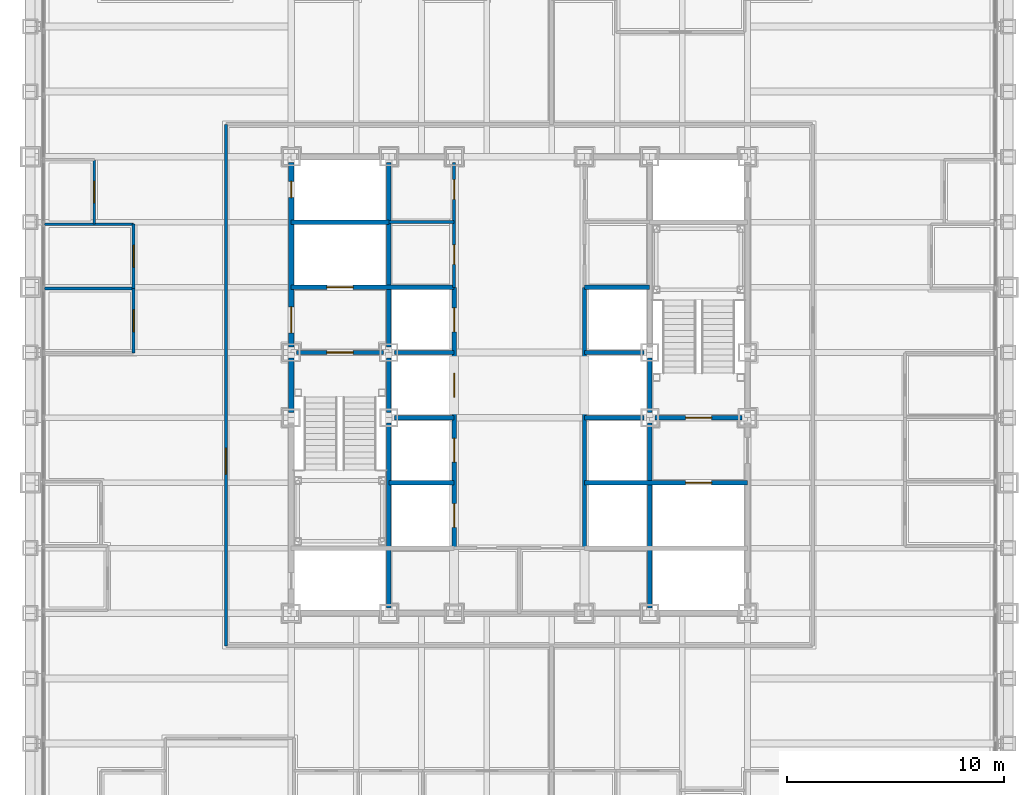
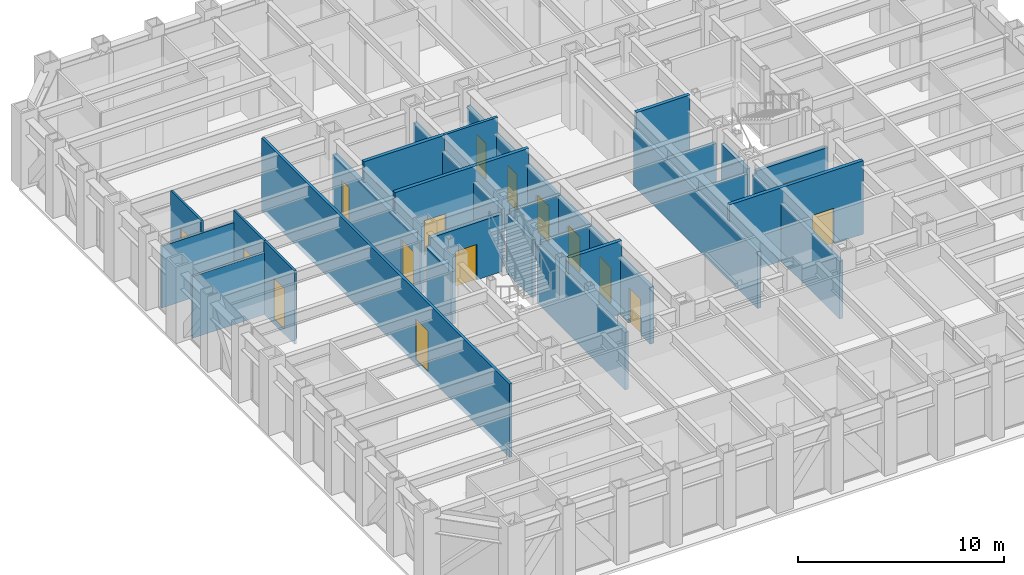
# One storey, part 9 of 16: 28 walls, 16 doors, 16 openings.
"""IFC4 building model written with IfcOpenShell, lengths in metres."""

from ifc_helpers import new_model, si_unit, direction, frame, frame_2d, origin, place, context, subcontext, project, spatial, rectangle, extrude, material, layer, layer_set, type_object, element, fill, save


model = new_model("IFC4")

# Units and contexts
model_context = context("Model", 3, precision=1e-05, world=origin(), true_north=direction((0.0, 1.0)))
body_context = subcontext(model_context, "Body", "Model", "MODEL_VIEW")
ifc_project = project(units=[si_unit("LENGTHUNIT", "METRE"), si_unit("AREAUNIT", "SQUARE_METRE"), si_unit("VOLUMEUNIT", "CUBIC_METRE"), si_unit("PLANEANGLEUNIT", "RADIAN"), si_unit("MASSUNIT", "GRAM", prefix="KILO")], contexts=[model_context])

# Site, building, storey
site_placement = place(None, origin())
site = spatial("IfcSite", under=ifc_project, at=site_placement, CompositionType="ELEMENT")
building_placement = place(site_placement, origin())
building = spatial("IfcBuilding", under=site, at=building_placement, Name="Chuquiago Exchange Tower", CompositionType="ELEMENT")
storey_placement = place(building_placement, frame((0.0, 0.0, 60.300048828125)))
storey = spatial("IfcBuildingStorey", under=building, at=storey_placement, Name="L12", CompositionType="ELEMENT", Elevation=60.300048828125)

# Wall
ifc_material_1 = material(Name="Concrete masonry, fully grouted", Category="masonry")
ifc_layer_1 = layer(ifc_material_1, 0.25)
ifc_layer_set_1 = layer_set([ifc_layer_1], Name="W1 core wall 250")
wall_type_1 = type_object("IfcWallType", Name="W1 core wall 250", PredefinedType="SOLIDWALL", material=ifc_layer_set_1)
wall_1_placement = place(storey_placement, frame((12.0, 21.25, 0.0), z_axis=(0.0, 0.0, 1.0), x_axis=(0.0, 1.0, 0.0)))
element("IfcWall", 1, at=wall_1_placement, inside=storey, type_object=wall_type_1, Name="CW-L12-00-1", PredefinedType="SOLIDWALL", context=body_context, shape_type="SweptSolid", body=[
    extrude(rectangle(XDim=2.5, YDim=0.25, at=frame_2d((1.25, 0.0))), origin(), (0.0, 0.0, 1.0), 3.11279296875),
])

# Wall, openings, doors
wall_2_placement = place(storey_placement, frame((12.0, 24.25, 0.0), z_axis=(0.0, 0.0, 1.0), x_axis=(0.0, 1.0, 0.0)))
wall_2 = element("IfcWall", 2, at=wall_2_placement, inside=storey, type_object=wall_type_1, Name="CW-L12-00-2", PredefinedType="SOLIDWALL", context=body_context, shape_type="SweptSolid", body=[
    extrude(rectangle(XDim=8.5, YDim=0.25, at=frame_2d((4.25, 0.0))), origin(), (0.0, 0.0, 1.0), 3.11279296875),
])
opening_1_placement = place(wall_2_placement, frame((0.64990234375, 0.0, 0.0)))
opening_1 = element("IfcOpeningElement", 3, at=opening_1_placement, cuts=wall_2, Name="Opening L12-002", PredefinedType="OPENING", context=body_context, shape_type="SweptSolid", body=[
    extrude(rectangle(XDim=1.199951171875, YDim=2.10009765625, at=frame_2d((0.60009765625, 1.050048828125))), frame((0.0, 0.135009765625, 0.0), z_axis=(0.0, -1.0, 0.0), x_axis=(1.0, 0.0, 0.0)), (0.0, 0.0, 1.0), 0.27001953125),
])
opening_2_placement = place(wall_2_placement, frame((6.875, 0.0, 0.0)))
opening_2 = element("IfcOpeningElement", 4, at=opening_2_placement, cuts=wall_2, Name="Opening L12-008", PredefinedType="OPENING", context=body_context, shape_type="SweptSolid", body=[
    extrude(rectangle(XDim=0.75, YDim=2.10009765625, at=frame_2d((0.375, 1.050048828125))), frame((0.0, 0.135009765625, 0.0), z_axis=(0.0, -1.0, 0.0), x_axis=(1.0, 0.0, 0.0)), (0.0, 0.0, 1.0), 0.27001953125),
])
ifc_material_2 = material(Name="Steel door, painted", Category="steel")
door_type_1 = type_object("IfcDoorType", Name="D5 firefighting lobby door 1200x2100", OperationType="SINGLE_SWING_LEFT", PredefinedType="DOOR", material=ifc_material_2)
door_1_placement = place(opening_1_placement, frame((1.199951171875, 0.0, 0.0), z_axis=(0.0, 0.0, 1.0), x_axis=(-1.0, 0.0, 0.0)))
door_1 = element("IfcDoor", 5, at=door_1_placement, inside=storey, type_object=door_type_1, Name="Firefighting lobby 1 door", OperationType="SINGLE_SWING_RIGHT", OverallHeight=2.10009765625, OverallWidth=1.199951171875, PredefinedType="DOOR", context=body_context, shape_type="SweptSolid", body=[
    extrude(rectangle(XDim=1.199951171875, YDim=2.10009765625, at=frame_2d((0.60009765625, 1.050048828125))), frame((0.0, 0.02490234375, 0.0), z_axis=(0.0, -1.0, 0.0), x_axis=(1.0, 0.0, 0.0)), (0.0, 0.0, 1.0), 0.050048828125),
])
fill(opening_1, door_1)
ifc_material_3 = material(Name="Steel door, painted", Category="steel")
door_type_2 = type_object("IfcDoorType", Name="D6 riser access door 750x2100", OperationType="SINGLE_SWING_LEFT", PredefinedType="DOOR", material=ifc_material_3)
door_2_placement = place(opening_2_placement, origin())
door_2 = element("IfcDoor", 6, at=door_2_placement, inside=storey, type_object=door_type_2, Name="Riser RW2 door", OperationType="SINGLE_SWING_RIGHT", OverallHeight=2.10009765625, OverallWidth=0.75, PredefinedType="DOOR", context=body_context, shape_type="SweptSolid", body=[
    extrude(rectangle(XDim=0.75, YDim=2.10009765625, at=frame_2d((0.375, 1.050048828125))), frame((0.0, 0.02490234375, 0.0), z_axis=(0.0, -1.0, 0.0), x_axis=(1.0, 0.0, 0.0)), (0.0, 0.0, 1.0), 0.050048828125),
])
fill(opening_2, door_2)

# Wall, opening, door
ifc_material_4 = material(Name="Gypsum board on steel studs, acoustic insulation", Category="steel")
ifc_layer_2 = layer(ifc_material_4, 0.14990234375)
ifc_layer_set_2 = layer_set([ifc_layer_2], Name="W11 corridor wall 150")
wall_type_2 = type_object("IfcWallType", Name="W11 corridor wall 150", PredefinedType="PARTITIONING", material=ifc_layer_set_2)
wall_3_placement = place(storey_placement, frame((9.0, 10.5, -0.300048828125), z_axis=(0.0, 0.0, 1.0), x_axis=(0.0, 1.0, 0.0)))
wall_3 = element("IfcWall", 7, at=wall_3_placement, inside=storey, type_object=wall_type_2, Name="PW-L12-CW", PredefinedType="PARTITIONING", context=body_context, shape_type="SweptSolid", body=[
    extrude(rectangle(XDim=24.0, YDim=0.14990234375, at=frame_2d((12.0, 0.0))), origin(), (0.0, 0.0, 1.0), 4.340087890625),
])
opening_3_placement = place(wall_3_placement, frame((7.89990234375, 0.0, 0.300048828125)))
opening_3 = element("IfcOpeningElement", 8, at=opening_3_placement, cuts=wall_3, Name="Opening L12-053", PredefinedType="OPENING", context=body_context, shape_type="SweptSolid", body=[
    extrude(rectangle(XDim=1.199951171875, YDim=2.39990234375, at=frame_2d((0.60009765625, 1.199951171875))), frame((0.0, 0.0849609375, 0.0), z_axis=(0.0, -1.0, 0.0), x_axis=(1.0, 0.0, 0.0)), (0.0, 0.0, 1.0), 0.169921875),
])
ifc_material_5 = material(Name="Timber door, laminate faced", Category="wood")
door_type_3 = type_object("IfcDoorType", Name="D13 suite entrance door 1200x2400", OperationType="SINGLE_SWING_LEFT", PredefinedType="DOOR", material=ifc_material_5)
door_3_placement = place(opening_3_placement, frame((1.199951171875, 0.0, 0.0), z_axis=(0.0, 0.0, 1.0), x_axis=(-1.0, 0.0, 0.0)))
door_3 = element("IfcDoor", 9, at=door_3_placement, inside=storey, type_object=door_type_3, Name="West suite entrance door", OperationType="SINGLE_SWING_RIGHT", OverallHeight=2.39990234375, OverallWidth=1.199951171875, PredefinedType="DOOR", context=body_context, shape_type="SweptSolid", body=[
    extrude(rectangle(XDim=1.199951171875, YDim=2.39990234375, at=frame_2d((0.60009765625, 1.199951171875))), frame((0.0, 0.02490234375, 0.0), z_axis=(0.0, -1.0, 0.0), x_axis=(1.0, 0.0, 0.0)), (0.0, 0.0, 1.0), 0.050048828125),
])
fill(opening_3, door_3)

ifc_material_6 = material(Name="Concrete masonry, fully grouted", Category="masonry")
ifc_layer_3 = layer(ifc_material_6, 0.199951171875)
ifc_layer_set_3 = layer_set([ifc_layer_3], Name="W2 shaft wall 200")
wall_type_3 = type_object("IfcWallType", Name="W2 shaft wall 200", PredefinedType="SOLIDWALL", material=ifc_layer_set_3)
wall_4_placement = place(storey_placement, frame((12.25, 24.0, 0.0), z_axis=(0.0, 0.0, 1.0), x_axis=(1.0, 0.0, 0.0)))
wall_4 = element("IfcWall", 10, at=wall_4_placement, inside=storey, type_object=wall_type_3, Name="CW-L12-05-0", PredefinedType="SOLIDWALL", context=body_context, shape_type="SweptSolid", body=[
    extrude(rectangle(XDim=4.0, YDim=0.199951171875, at=frame_2d((2.0, 0.0))), origin(), (0.0, 0.0, 1.0), 3.389892578125),
])
opening_4_placement = place(wall_4_placement, frame((1.39990234375, 0.0, 0.0)))
opening_4 = element("IfcOpeningElement", 11, at=opening_4_placement, cuts=wall_4, Name="Opening L12-001", PredefinedType="OPENING", context=body_context, shape_type="SweptSolid", body=[
    extrude(rectangle(XDim=1.199951171875, YDim=2.10009765625, at=frame_2d((0.60009765625, 1.050048828125))), frame((0.0, 0.10986328125, 0.0), z_axis=(0.0, -1.0, 0.0), x_axis=(1.0, 0.0, 0.0)), (0.0, 0.0, 1.0), 0.219970703125),
])
ifc_material_7 = material(Name="Steel door, painted", Category="steel")
door_type_4 = type_object("IfcDoorType", Name="D4 stair door 1200x2100", OperationType="SINGLE_SWING_LEFT", PredefinedType="DOOR", material=ifc_material_7)
door_4_placement = place(opening_4_placement, frame((1.199951171875, 0.0, 0.0), z_axis=(0.0, 0.0, 1.0), x_axis=(-1.0, 0.0, 0.0)))
door_4 = element("IfcDoor", 12, at=door_4_placement, inside=storey, type_object=door_type_4, Name="Stair ST1 door", OperationType="SINGLE_SWING_RIGHT", OverallHeight=2.10009765625, OverallWidth=1.199951171875, PredefinedType="DOOR", context=body_context, shape_type="SweptSolid", body=[
    extrude(rectangle(XDim=1.199951171875, YDim=2.10009765625, at=frame_2d((0.60009765625, 1.050048828125))), frame((0.0, 0.02490234375, 0.0), z_axis=(0.0, -1.0, 0.0), x_axis=(1.0, 0.0, 0.0)), (0.0, 0.0, 1.0), 0.050048828125),
])
fill(opening_4, door_4)

# Walls
for number, where, z_axis, x_axis, name in (
    (13, (16.75, 24.0, 0.0), (0.0, 0.0, 1.0), (1.0, 0.0, 0.0), "CW-L12-05-1"),
    (14, (25.5, 24.0, 0.0), (0.0, 0.0, 1.0), (1.0, 0.0, 0.0), "CW-L12-06-0"),
):
    element("IfcWall", number, at=place(storey_placement, frame(where, z_axis=z_axis, x_axis=x_axis)), inside=storey, type_object=wall_type_3, Name=name, PredefinedType="SOLIDWALL", context=body_context, shape_type="SweptSolid", body=[
        extrude(rectangle(XDim=2.75, YDim=0.199951171875, at=frame_2d((1.375, 0.0))), origin(), (0.0, 0.0, 1.0), 3.389892578125),
    ])

# Wall, opening, door
wall_5_placement = place(storey_placement, frame((12.0, 27.0, 0.0), z_axis=(0.0, 0.0, 1.0), x_axis=(1.0, 0.0, 0.0)))
wall_5 = element("IfcWall", 15, at=wall_5_placement, inside=storey, type_object=wall_type_3, Name="CW-L12-07-0", PredefinedType="SOLIDWALL", context=body_context, shape_type="SweptSolid", body=[
    extrude(rectangle(XDim=7.5, YDim=0.199951171875, at=frame_2d((3.75, 0.0))), origin(), (0.0, 0.0, 1.0), 4.33984375),
])
opening_5_placement = place(wall_5_placement, frame((1.64990234375, 0.0, 0.0)))
opening_5 = element("IfcOpeningElement", 16, at=opening_5_placement, cuts=wall_5, Name="Opening L12-005", PredefinedType="OPENING", context=body_context, shape_type="SweptSolid", body=[
    extrude(rectangle(XDim=1.199951171875, YDim=2.10009765625, at=frame_2d((0.60009765625, 1.050048828125))), frame((0.0, 0.10986328125, 0.0), z_axis=(0.0, -1.0, 0.0), x_axis=(1.0, 0.0, 0.0)), (0.0, 0.0, 1.0), 0.219970703125),
])
ifc_material_8 = material(Name="Stainless steel lift landing door", Category="steel")
door_type_5 = type_object("IfcDoorType", Name="LD2 firefighting lift landing door 1200x2100", OperationType="DOUBLE_DOOR_SLIDING", PredefinedType="DOOR", material=ifc_material_8)
door_5_placement = place(opening_5_placement, origin())
door_5 = element("IfcDoor", 17, at=door_5_placement, inside=storey, type_object=door_type_5, Name="Firefighting lift FL1 landing door", OperationType="DOUBLE_DOOR_SLIDING", OverallHeight=2.10009765625, OverallWidth=1.199951171875, PredefinedType="DOOR", context=body_context, shape_type="SweptSolid", body=[
    extrude(rectangle(XDim=1.199951171875, YDim=2.10009765625, at=frame_2d((0.60009765625, 1.050048828125))), frame((0.0, 0.02490234375, 0.0), z_axis=(0.0, -1.0, 0.0), x_axis=(1.0, 0.0, 0.0)), (0.0, 0.0, 1.0), 0.050048828125),
])
fill(opening_5, door_5)

# Walls
wall_6_placement = place(storey_placement, frame((25.5, 27.0, 0.0), z_axis=(0.0, 0.0, 1.0), x_axis=(1.0, 0.0, 0.0)))
element("IfcWall", 18, at=wall_6_placement, inside=storey, type_object=wall_type_3, Name="CW-L12-08-0", PredefinedType="SOLIDWALL", context=body_context, shape_type="SweptSolid", body=[
    extrude(rectangle(XDim=3.0, YDim=0.199951171875, at=frame_2d((1.5, 0.0))), origin(), (0.0, 0.0, 1.0), 4.33984375),
])
wall_7_placement = place(storey_placement, frame((12.0, 30.0, 0.0), z_axis=(0.0, 0.0, 1.0), x_axis=(1.0, 0.0, 0.0)))
element("IfcWall", 19, at=wall_7_placement, inside=storey, type_object=wall_type_3, Name="CW-L12-09-0", PredefinedType="SOLIDWALL", context=body_context, shape_type="SweptSolid", body=[
    extrude(rectangle(XDim=4.5, YDim=0.199951171875, at=frame_2d((2.25, 0.0))), origin(), (0.0, 0.0, 1.0), 4.33984375),
])
wall_8_placement = place(storey_placement, frame((16.5, 12.25, 0.0), z_axis=(0.0, 0.0, 1.0), x_axis=(0.0, 1.0, 0.0)))
element("IfcWall", 20, at=wall_8_placement, inside=storey, type_object=wall_type_3, Name="CW-L12-13-0", PredefinedType="SOLIDWALL", context=body_context, shape_type="SweptSolid", body=[
    extrude(rectangle(XDim=8.5, YDim=0.199951171875, at=frame_2d((4.25, 0.0))), origin(), (0.0, 0.0, 1.0), 3.412841796875),
])
wall_9_placement = place(storey_placement, frame((16.5, 21.25, 0.0), z_axis=(0.0, 0.0, 1.0), x_axis=(0.0, 1.0, 0.0)))
element("IfcWall", 21, at=wall_9_placement, inside=storey, type_object=wall_type_3, Name="CW-L12-13-1", PredefinedType="SOLIDWALL", context=body_context, shape_type="SweptSolid", body=[
    extrude(rectangle(XDim=2.5, YDim=0.199951171875, at=frame_2d((1.25, 0.0))), origin(), (0.0, 0.0, 1.0), 3.412841796875),
])
wall_10_placement = place(storey_placement, frame((16.5, 24.25, 0.0), z_axis=(0.0, 0.0, 1.0), x_axis=(0.0, 1.0, 0.0)))
element("IfcWall", 22, at=wall_10_placement, inside=storey, type_object=wall_type_3, Name="CW-L12-13-2", PredefinedType="SOLIDWALL", context=body_context, shape_type="SweptSolid", body=[
    extrude(rectangle(XDim=8.5, YDim=0.199951171875, at=frame_2d((4.25, 0.0))), origin(), (0.0, 0.0, 1.0), 3.412841796875),
])
wall_11_placement = place(storey_placement, frame((16.5, 18.0, 0.0), z_axis=(0.0, 0.0, 1.0), x_axis=(1.0, 0.0, 0.0)))
element("IfcWall", 23, at=wall_11_placement, inside=storey, type_object=wall_type_3, Name="CW-L12-14-0", PredefinedType="SOLIDWALL", context=body_context, shape_type="SweptSolid", body=[
    extrude(rectangle(XDim=3.0, YDim=0.199951171875, at=frame_2d((1.5, 0.0))), origin(), (0.0, 0.0, 1.0), 4.33984375),
])

# Wall, opening, door
wall_12_placement = place(storey_placement, frame((25.5, 18.0, 0.0), z_axis=(0.0, 0.0, 1.0), x_axis=(1.0, 0.0, 0.0)))
wall_12 = element("IfcWall", 24, at=wall_12_placement, inside=storey, type_object=wall_type_3, Name="CW-L12-15-0", PredefinedType="SOLIDWALL", context=body_context, shape_type="SweptSolid", body=[
    extrude(rectangle(XDim=7.5, YDim=0.199951171875, at=frame_2d((3.75, 0.0))), origin(), (0.0, 0.0, 1.0), 4.33984375),
])
opening_6_placement = place(wall_12_placement, frame((4.64990234375, 0.0, 0.0)))
opening_6 = element("IfcOpeningElement", 25, at=opening_6_placement, cuts=wall_12, Name="Opening L12-006", PredefinedType="OPENING", context=body_context, shape_type="SweptSolid", body=[
    extrude(rectangle(XDim=1.199951171875, YDim=2.10009765625, at=frame_2d((0.60009765625, 1.050048828125))), frame((0.0, 0.10986328125, 0.0), z_axis=(0.0, -1.0, 0.0), x_axis=(1.0, 0.0, 0.0)), (0.0, 0.0, 1.0), 0.219970703125),
])
door_6_placement = place(opening_6_placement, origin())
door_6 = element("IfcDoor", 26, at=door_6_placement, inside=storey, type_object=door_type_5, Name="Firefighting lift FL2 landing door", OperationType="DOUBLE_DOOR_SLIDING", OverallHeight=2.10009765625, OverallWidth=1.199951171875, PredefinedType="DOOR", context=body_context, shape_type="SweptSolid", body=[
    extrude(rectangle(XDim=1.199951171875, YDim=2.10009765625, at=frame_2d((0.60009765625, 1.050048828125))), frame((0.0, 0.02490234375, 0.0), z_axis=(0.0, -1.0, 0.0), x_axis=(1.0, 0.0, 0.0)), (0.0, 0.0, 1.0), 0.050048828125),
])
fill(opening_6, door_6)

# Walls
for number, where, z_axis, x_axis, name in (
    (27, (16.75, 21.0, 0.0), (0.0, 0.0, 1.0), (1.0, 0.0, 0.0), "CW-L12-16-0"),
    (28, (25.5, 21.0, 0.0), (0.0, 0.0, 1.0), (1.0, 0.0, 0.0), "CW-L12-17-0"),
):
    element("IfcWall", number, at=place(storey_placement, frame(where, z_axis=z_axis, x_axis=x_axis)), inside=storey, type_object=wall_type_3, Name=name, PredefinedType="SOLIDWALL", context=body_context, shape_type="SweptSolid", body=[
        extrude(rectangle(XDim=2.75, YDim=0.199951171875, at=frame_2d((1.375, 0.0))), origin(), (0.0, 0.0, 1.0), 3.389892578125),
    ])

# Wall, opening, door
wall_13_placement = place(storey_placement, frame((28.75, 21.0, 0.0), z_axis=(0.0, 0.0, 1.0), x_axis=(1.0, 0.0, 0.0)))
wall_13 = element("IfcWall", 29, at=wall_13_placement, inside=storey, type_object=wall_type_3, Name="CW-L12-17-1", PredefinedType="SOLIDWALL", context=body_context, shape_type="SweptSolid", body=[
    extrude(rectangle(XDim=4.0, YDim=0.199951171875, at=frame_2d((2.0, 0.0))), origin(), (0.0, 0.0, 1.0), 3.389892578125),
])
opening_7_placement = place(wall_13_placement, frame((1.39990234375, 0.0, 0.0)))
opening_7 = element("IfcOpeningElement", 30, at=opening_7_placement, cuts=wall_13, Name="Opening L12-003", PredefinedType="OPENING", context=body_context, shape_type="SweptSolid", body=[
    extrude(rectangle(XDim=1.199951171875, YDim=2.10009765625, at=frame_2d((0.60009765625, 1.050048828125))), frame((0.0, 0.10986328125, 0.0), z_axis=(0.0, -1.0, 0.0), x_axis=(1.0, 0.0, 0.0)), (0.0, 0.0, 1.0), 0.219970703125),
])
door_7_placement = place(opening_7_placement, origin())
door_7 = element("IfcDoor", 31, at=door_7_placement, inside=storey, type_object=door_type_4, Name="Stair ST2 door", OperationType="SINGLE_SWING_LEFT", OverallHeight=2.10009765625, OverallWidth=1.199951171875, PredefinedType="DOOR", context=body_context, shape_type="SweptSolid", body=[
    extrude(rectangle(XDim=1.199951171875, YDim=2.10009765625, at=frame_2d((0.60009765625, 1.050048828125))), frame((0.0, 0.02490234375, 0.0), z_axis=(0.0, -1.0, 0.0), x_axis=(1.0, 0.0, 0.0)), (0.0, 0.0, 1.0), 0.050048828125),
])
fill(opening_7, door_7)

# Wall, openings, doors
wall_14_placement = place(storey_placement, frame((19.5, 15.0, 0.0), z_axis=(0.0, 0.0, 1.0), x_axis=(0.0, 1.0, 0.0)))
wall_14 = element("IfcWall", 32, at=wall_14_placement, inside=storey, type_object=wall_type_3, Name="CW-L12-19-0", PredefinedType="SOLIDWALL", context=body_context, shape_type="SweptSolid", body=[
    extrude(rectangle(XDim=12.0, YDim=0.199951171875, at=frame_2d((6.0, 0.0))), origin(), (0.0, 0.0, 1.0), 3.364501953125),
])
opening_8_placement = place(wall_14_placement, frame((0.949951171875, 0.0, 0.0)))
opening_8 = element("IfcOpeningElement", 33, at=opening_8_placement, cuts=wall_14, Name="Opening L12-017", PredefinedType="OPENING", context=body_context, shape_type="SweptSolid", body=[
    extrude(rectangle(XDim=1.10009765625, YDim=2.10009765625, at=frame_2d((0.550048828125, 1.050048828125))), frame((0.0, 0.10986328125, 0.0), z_axis=(0.0, -1.0, 0.0), x_axis=(1.0, 0.0, 0.0)), (0.0, 0.0, 1.0), 0.219970703125),
])
opening_9_placement = place(wall_14_placement, frame((3.949951171875, 0.0, 0.0)))
opening_9 = element("IfcOpeningElement", 34, at=opening_9_placement, cuts=wall_14, Name="Opening L12-018", PredefinedType="OPENING", context=body_context, shape_type="SweptSolid", body=[
    extrude(rectangle(XDim=1.10009765625, YDim=2.10009765625, at=frame_2d((0.550048828125, 1.050048828125))), frame((0.0, 0.10986328125, 0.0), z_axis=(0.0, -1.0, 0.0), x_axis=(1.0, 0.0, 0.0)), (0.0, 0.0, 1.0), 0.219970703125),
])
opening_10_placement = place(wall_14_placement, frame((6.949951171875, 0.0, 0.0)))
opening_10 = element("IfcOpeningElement", 35, at=opening_10_placement, cuts=wall_14, Name="Opening L12-019", PredefinedType="OPENING", context=body_context, shape_type="SweptSolid", body=[
    extrude(rectangle(XDim=1.10009765625, YDim=2.10009765625, at=frame_2d((0.550048828125, 1.050048828125))), frame((0.0, 0.10986328125, 0.0), z_axis=(0.0, -1.0, 0.0), x_axis=(1.0, 0.0, 0.0)), (0.0, 0.0, 1.0), 0.219970703125),
])
opening_11_placement = place(wall_14_placement, frame((9.949951171875, 0.0, 0.0)))
opening_11 = element("IfcOpeningElement", 36, at=opening_11_placement, cuts=wall_14, Name="Opening L12-020", PredefinedType="OPENING", context=body_context, shape_type="SweptSolid", body=[
    extrude(rectangle(XDim=1.10009765625, YDim=2.10009765625, at=frame_2d((0.550048828125, 1.050048828125))), frame((0.0, 0.10986328125, 0.0), z_axis=(0.0, -1.0, 0.0), x_axis=(1.0, 0.0, 0.0)), (0.0, 0.0, 1.0), 0.219970703125),
])
ifc_material_9 = material(Name="Stainless steel lift landing door", Category="steel")
door_type_6 = type_object("IfcDoorType", Name="LD1 lift landing door 1100x2100", OperationType="DOUBLE_DOOR_SLIDING", PredefinedType="DOOR", material=ifc_material_9)
door_8_placement = place(opening_8_placement, origin())
door_8 = element("IfcDoor", 37, at=door_8_placement, inside=storey, type_object=door_type_6, Name="Lift LA1 landing door", OperationType="DOUBLE_DOOR_SLIDING", OverallHeight=2.10009765625, OverallWidth=1.10009765625, PredefinedType="DOOR", context=body_context, shape_type="SweptSolid", body=[
    extrude(rectangle(XDim=1.10009765625, YDim=2.10009765625, at=frame_2d((0.550048828125, 1.050048828125))), frame((0.0, 0.02490234375, 0.0), z_axis=(0.0, -1.0, 0.0), x_axis=(1.0, 0.0, 0.0)), (0.0, 0.0, 1.0), 0.050048828125),
])
fill(opening_8, door_8)
door_9_placement = place(opening_9_placement, origin())
door_9 = element("IfcDoor", 38, at=door_9_placement, inside=storey, type_object=door_type_6, Name="Lift LA2 landing door", OperationType="DOUBLE_DOOR_SLIDING", OverallHeight=2.10009765625, OverallWidth=1.10009765625, PredefinedType="DOOR", context=body_context, shape_type="SweptSolid", body=[
    extrude(rectangle(XDim=1.10009765625, YDim=2.10009765625, at=frame_2d((0.550048828125, 1.050048828125))), frame((0.0, 0.02490234375, 0.0), z_axis=(0.0, -1.0, 0.0), x_axis=(1.0, 0.0, 0.0)), (0.0, 0.0, 1.0), 0.050048828125),
])
fill(opening_9, door_9)
door_10_placement = place(opening_10_placement, origin())
door_10 = element("IfcDoor", 39, at=door_10_placement, inside=storey, type_object=door_type_6, Name="Lift LA3 landing door", OperationType="DOUBLE_DOOR_SLIDING", OverallHeight=2.10009765625, OverallWidth=1.10009765625, PredefinedType="DOOR", context=body_context, shape_type="SweptSolid", body=[
    extrude(rectangle(XDim=1.10009765625, YDim=2.10009765625, at=frame_2d((0.550048828125, 1.050048828125))), frame((0.0, 0.02490234375, 0.0), z_axis=(0.0, -1.0, 0.0), x_axis=(1.0, 0.0, 0.0)), (0.0, 0.0, 1.0), 0.050048828125),
])
fill(opening_10, door_10)
door_11_placement = place(opening_11_placement, origin())
door_11 = element("IfcDoor", 40, at=door_11_placement, inside=storey, type_object=door_type_6, Name="Lift LA4 landing door", OperationType="DOUBLE_DOOR_SLIDING", OverallHeight=2.10009765625, OverallWidth=1.10009765625, PredefinedType="DOOR", context=body_context, shape_type="SweptSolid", body=[
    extrude(rectangle(XDim=1.10009765625, YDim=2.10009765625, at=frame_2d((0.550048828125, 1.050048828125))), frame((0.0, 0.02490234375, 0.0), z_axis=(0.0, -1.0, 0.0), x_axis=(1.0, 0.0, 0.0)), (0.0, 0.0, 1.0), 0.050048828125),
])
fill(opening_11, door_11)

# Walls
wall_15_placement = place(storey_placement, frame((25.5, 15.0, 0.0), z_axis=(0.0, 0.0, 1.0), x_axis=(0.0, 1.0, 0.0)))
element("IfcWall", 41, at=wall_15_placement, inside=storey, type_object=wall_type_3, Name="CW-L12-22-0", PredefinedType="SOLIDWALL", context=body_context, shape_type="SweptSolid", body=[
    extrude(rectangle(XDim=12.0, YDim=0.199951171875, at=frame_2d((6.0, 0.0))), origin(), (0.0, 0.0, 1.0), 3.364501953125),
])
wall_16_placement = place(storey_placement, frame((28.5, 12.25, 0.0), z_axis=(0.0, 0.0, 1.0), x_axis=(0.0, 1.0, 0.0)))
element("IfcWall", 42, at=wall_16_placement, inside=storey, type_object=wall_type_3, Name="CW-L12-24-0", PredefinedType="SOLIDWALL", context=body_context, shape_type="SweptSolid", body=[
    extrude(rectangle(XDim=8.5, YDim=0.199951171875, at=frame_2d((4.25, 0.0))), origin(), (0.0, 0.0, 1.0), 3.412841796875),
])
wall_17_placement = place(storey_placement, frame((28.5, 21.25, 0.0), z_axis=(0.0, 0.0, 1.0), x_axis=(0.0, 1.0, 0.0)))
element("IfcWall", 43, at=wall_17_placement, inside=storey, type_object=wall_type_3, Name="CW-L12-24-1", PredefinedType="SOLIDWALL", context=body_context, shape_type="SweptSolid", body=[
    extrude(rectangle(XDim=2.5, YDim=0.199951171875, at=frame_2d((1.25, 0.0))), origin(), (0.0, 0.0, 1.0), 3.412841796875),
])

# Wall, openings, doors
ifc_material_10 = material(Name="Gypsum board on steel studs", Category="steel")
ifc_layer_4 = layer(ifc_material_10, 0.14990234375)
ifc_layer_set_4 = layer_set([ifc_layer_4], Name="W3 core partition 150")
wall_type_4 = type_object("IfcWallType", Name="W3 core partition 150", PredefinedType="PARTITIONING", material=ifc_layer_set_4)
wall_18_placement = place(storey_placement, frame((19.5, 27.0, 0.0), z_axis=(0.0, 0.0, 1.0), x_axis=(0.0, 1.0, 0.0)))
wall_18 = element("IfcWall", 44, at=wall_18_placement, inside=storey, type_object=wall_type_4, Name="CW-L12-20-0", PredefinedType="PARTITIONING", context=body_context, shape_type="SweptSolid", body=[
    extrude(rectangle(XDim=5.75, YDim=0.14990234375, at=frame_2d((2.875, 0.0))), origin(), (0.0, 0.0, 1.0), 3.364501953125),
])
opening_12_placement = place(wall_18_placement, frame((1.050048828125, 0.0, 0.0)))
opening_12 = element("IfcOpeningElement", 45, at=opening_12_placement, cuts=wall_18, Name="Opening L12-011", PredefinedType="OPENING", context=body_context, shape_type="SweptSolid", body=[
    extrude(rectangle(XDim=0.89990234375, YDim=2.10009765625, at=frame_2d((0.449951171875, 1.050048828125))), frame((0.0, 0.0849609375, 0.0), z_axis=(0.0, -1.0, 0.0), x_axis=(1.0, 0.0, 0.0)), (0.0, 0.0, 1.0), 0.169921875),
])
opening_13_placement = place(wall_18_placement, frame((4.050048828125, 0.0, 0.0)))
opening_13 = element("IfcOpeningElement", 46, at=opening_13_placement, cuts=wall_18, Name="Opening L12-012", PredefinedType="OPENING", context=body_context, shape_type="SweptSolid", body=[
    extrude(rectangle(XDim=0.89990234375, YDim=2.10009765625, at=frame_2d((0.449951171875, 1.050048828125))), frame((0.0, 0.0849609375, 0.0), z_axis=(0.0, -1.0, 0.0), x_axis=(1.0, 0.0, 0.0)), (0.0, 0.0, 1.0), 0.169921875),
])
ifc_material_11 = material(Name="Timber door, laminate faced", Category="wood")
door_type_7 = type_object("IfcDoorType", Name="D16 core room door 900x2100", OperationType="SINGLE_SWING_LEFT", PredefinedType="DOOR", material=ifc_material_11)
door_12_placement = place(opening_13_placement, origin())
door_12 = element("IfcDoor", 47, at=door_12_placement, inside=storey, type_object=door_type_7, Name="Staff shower room door", OperationType="SINGLE_SWING_RIGHT", OverallHeight=2.10009765625, OverallWidth=0.89990234375, PredefinedType="DOOR", context=body_context, shape_type="SweptSolid", body=[
    extrude(rectangle(XDim=0.89990234375, YDim=2.10009765625, at=frame_2d((0.449951171875, 1.050048828125))), frame((0.0, 0.02490234375, 0.0), z_axis=(0.0, -1.0, 0.0), x_axis=(1.0, 0.0, 0.0)), (0.0, 0.0, 1.0), 0.050048828125),
])
fill(opening_13, door_12)
ifc_material_12 = material(Name="Timber door, laminate faced", Category="wood")
door_type_8 = type_object("IfcDoorType", Name="D7 toilet door 900x2100", OperationType="SINGLE_SWING_LEFT", PredefinedType="DOOR", material=ifc_material_12)
door_13_placement = place(opening_12_placement, origin())
door_13 = element("IfcDoor", 48, at=door_13_placement, inside=storey, type_object=door_type_8, Name="Male WC door", OperationType="SINGLE_SWING_LEFT", OverallHeight=2.10009765625, OverallWidth=0.89990234375, PredefinedType="DOOR", context=body_context, shape_type="SweptSolid", body=[
    extrude(rectangle(XDim=0.89990234375, YDim=2.10009765625, at=frame_2d((0.449951171875, 1.050048828125))), frame((0.0, 0.02490234375, 0.0), z_axis=(0.0, -1.0, 0.0), x_axis=(1.0, 0.0, 0.0)), (0.0, 0.0, 1.0), 0.050048828125),
])
fill(opening_12, door_13)

# Walls
wall_19_placement = place(storey_placement, frame((16.5, 30.0, 0.0), z_axis=(0.0, 0.0, 1.0), x_axis=(1.0, 0.0, 0.0)))
element("IfcWall", 49, at=wall_19_placement, inside=storey, type_object=wall_type_4, Name="CW-L12-WCMS", PredefinedType="PARTITIONING", context=body_context, shape_type="SweptSolid", body=[
    extrude(rectangle(XDim=3.0, YDim=0.14990234375, at=frame_2d((1.5, 0.0))), origin(), (0.0, 0.0, 1.0), 4.33984375),
])
ifc_material_13 = material(Name="Gypsum board on steel studs", Category="steel")
ifc_layer_5 = layer(ifc_material_13, 0.1201171875)
ifc_layer_set_5 = layer_set([ifc_layer_5], Name="W4 partition 120")
wall_type_5 = type_object("IfcWallType", Name="W4 partition 120", PredefinedType="PARTITIONING", material=ifc_layer_set_5)
for number, where, z_axis, x_axis, name in (
    (50, (0.657470703125, 26.942626953125, -0.300048828125), (0.0, 0.0, 1.0), (1.0, 0.0, 0.0), "PW-L12-W02694"),
    (51, (0.657470703125, 29.904296875, -0.300048828125), (0.0, 0.0, 1.0), (1.0, 0.0, 0.0), "PW-L12-W02990"),
):
    element("IfcWall", number, at=place(storey_placement, frame(where, z_axis=z_axis, x_axis=x_axis)), inside=storey, type_object=wall_type_5, Name=name, PredefinedType="PARTITIONING", context=body_context, shape_type="SweptSolid", body=[
        extrude(rectangle(XDim=4.092529296875, YDim=0.1201171875, at=frame_2d((2.04638671875, 0.0))), origin(), (0.0, 0.0, 1.0), 3.646484375),
    ])

# Wall, opening, door
wall_20_placement = place(storey_placement, frame((4.75, 23.98095703125, -0.300048828125), z_axis=(0.0, 0.0, 1.0), x_axis=(0.0, 1.0, 0.0)))
wall_20 = element("IfcWall", 52, at=wall_20_placement, inside=storey, type_object=wall_type_5, Name="PW-L12-WF02398", PredefinedType="PARTITIONING", context=body_context, shape_type="SweptSolid", body=[
    extrude(rectangle(XDim=2.961669921875, YDim=0.1201171875, at=frame_2d((1.48095703125, 0.0))), origin(), (0.0, 0.0, 1.0), 4.340087890625),
])
opening_14_placement = place(wall_20_placement, frame((0.98095703125, 0.0, 0.300048828125)))
opening_14 = element("IfcOpeningElement", 53, at=opening_14_placement, cuts=wall_20, Name="Opening L12-050", PredefinedType="OPENING", context=body_context, shape_type="SweptSolid", body=[
    extrude(rectangle(XDim=1.0, YDim=2.39990234375, at=frame_2d((0.5, 1.199951171875))), frame((0.0, 0.070068359375, 0.0), z_axis=(0.0, -1.0, 0.0), x_axis=(1.0, 0.0, 0.0)), (0.0, 0.0, 1.0), 0.14013671875),
])
ifc_material_14 = material(Name="Timber door, laminate faced", Category="wood")
door_type_9 = type_object("IfcDoorType", Name="D9 room door 1000x2400", OperationType="SINGLE_SWING_LEFT", PredefinedType="DOOR", material=ifc_material_14)
door_14_placement = place(opening_14_placement, origin())
door_14 = element("IfcDoor", 54, at=door_14_placement, inside=storey, type_object=door_type_9, Name="Office door", OperationType="SINGLE_SWING_RIGHT", OverallHeight=2.39990234375, OverallWidth=1.0, PredefinedType="DOOR", context=body_context, shape_type="SweptSolid", body=[
    extrude(rectangle(XDim=1.0, YDim=2.39990234375, at=frame_2d((0.5, 1.199951171875))), frame((0.0, 0.02490234375, 0.0), z_axis=(0.0, -1.0, 0.0), x_axis=(1.0, 0.0, 0.0)), (0.0, 0.0, 1.0), 0.050048828125),
])
fill(opening_14, door_14)

wall_21_placement = place(storey_placement, frame((4.75, 26.942626953125, -0.300048828125), z_axis=(0.0, 0.0, 1.0), x_axis=(0.0, 1.0, 0.0)))
wall_21 = element("IfcWall", 55, at=wall_21_placement, inside=storey, type_object=wall_type_5, Name="PW-L12-WF02694", PredefinedType="PARTITIONING", context=body_context, shape_type="SweptSolid", body=[
    extrude(rectangle(XDim=2.961669921875, YDim=0.1201171875, at=frame_2d((1.48095703125, 0.0))), origin(), (0.0, 0.0, 1.0), 4.340087890625),
])
opening_15_placement = place(wall_21_placement, frame((0.98095703125, 0.0, 0.300048828125)))
opening_15 = element("IfcOpeningElement", 56, at=opening_15_placement, cuts=wall_21, Name="Opening L12-051", PredefinedType="OPENING", context=body_context, shape_type="SweptSolid", body=[
    extrude(rectangle(XDim=1.0, YDim=2.39990234375, at=frame_2d((0.5, 1.199951171875))), frame((0.0, 0.070068359375, 0.0), z_axis=(0.0, -1.0, 0.0), x_axis=(1.0, 0.0, 0.0)), (0.0, 0.0, 1.0), 0.14013671875),
])
door_15_placement = place(opening_15_placement, origin())
door_15 = element("IfcDoor", 57, at=door_15_placement, inside=storey, type_object=door_type_9, Name="Office door", OperationType="SINGLE_SWING_LEFT", OverallHeight=2.39990234375, OverallWidth=1.0, PredefinedType="DOOR", context=body_context, shape_type="SweptSolid", body=[
    extrude(rectangle(XDim=1.0, YDim=2.39990234375, at=frame_2d((0.5, 1.199951171875))), frame((0.0, 0.02490234375, 0.0), z_axis=(0.0, -1.0, 0.0), x_axis=(1.0, 0.0, 0.0)), (0.0, 0.0, 1.0), 0.050048828125),
])
fill(opening_15, door_15)

wall_22_placement = place(storey_placement, frame((2.949951171875, 29.904296875, -0.300048828125), z_axis=(0.0, 0.0, 1.0), x_axis=(0.0, 1.0, 0.0)))
wall_22 = element("IfcWall", 58, at=wall_22_placement, inside=storey, type_object=wall_type_5, Name="PW-L12-WF02990", PredefinedType="PARTITIONING", context=body_context, shape_type="SweptSolid", body=[
    extrude(rectangle(XDim=2.9619140625, YDim=0.1201171875, at=frame_2d((1.48095703125, 0.0))), origin(), (0.0, 0.0, 1.0), 4.340087890625),
])
opening_16_placement = place(wall_22_placement, frame((0.98095703125, 0.0, 0.300048828125)))
opening_16 = element("IfcOpeningElement", 59, at=opening_16_placement, cuts=wall_22, Name="Opening L12-052", PredefinedType="OPENING", context=body_context, shape_type="SweptSolid", body=[
    extrude(rectangle(XDim=1.0, YDim=2.39990234375, at=frame_2d((0.5, 1.199951171875))), frame((0.0, 0.070068359375, 0.0), z_axis=(0.0, -1.0, 0.0), x_axis=(1.0, 0.0, 0.0)), (0.0, 0.0, 1.0), 0.14013671875),
])
ifc_material_15 = material(Name="Timber frame door, full height glazed panel", Category="wood")
door_type_10 = type_object("IfcDoorType", Name="D14 glazed meeting room door 1000x2400", OperationType="SINGLE_SWING_LEFT", PredefinedType="DOOR", material=ifc_material_15)
door_16_placement = place(opening_16_placement, origin())
door_16 = element("IfcDoor", 60, at=door_16_placement, inside=storey, type_object=door_type_10, Name="Focus room door", OperationType="SINGLE_SWING_LEFT", OverallHeight=2.39990234375, OverallWidth=1.0, PredefinedType="DOOR", context=body_context, shape_type="SweptSolid", body=[
    extrude(rectangle(XDim=1.0, YDim=2.39990234375, at=frame_2d((0.5, 1.199951171875))), frame((0.0, 0.02490234375, 0.0), z_axis=(0.0, -1.0, 0.0), x_axis=(1.0, 0.0, 0.0)), (0.0, 0.0, 1.0), 0.050048828125),
])
fill(opening_16, door_16)

save(model, "model.ifc")
